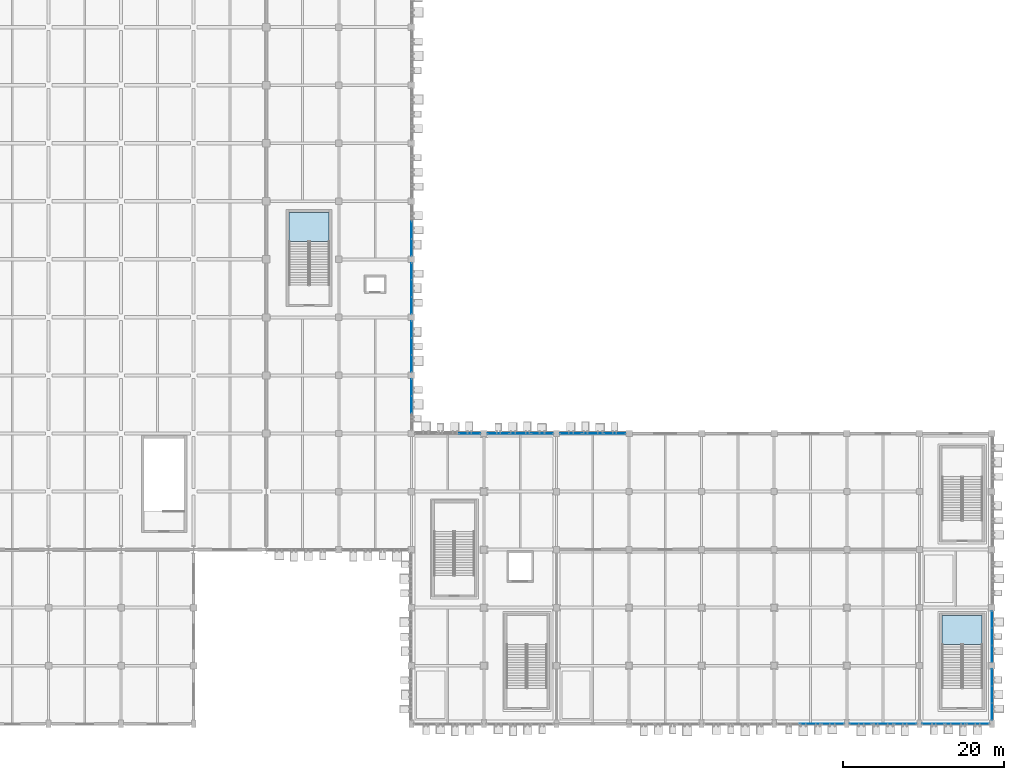
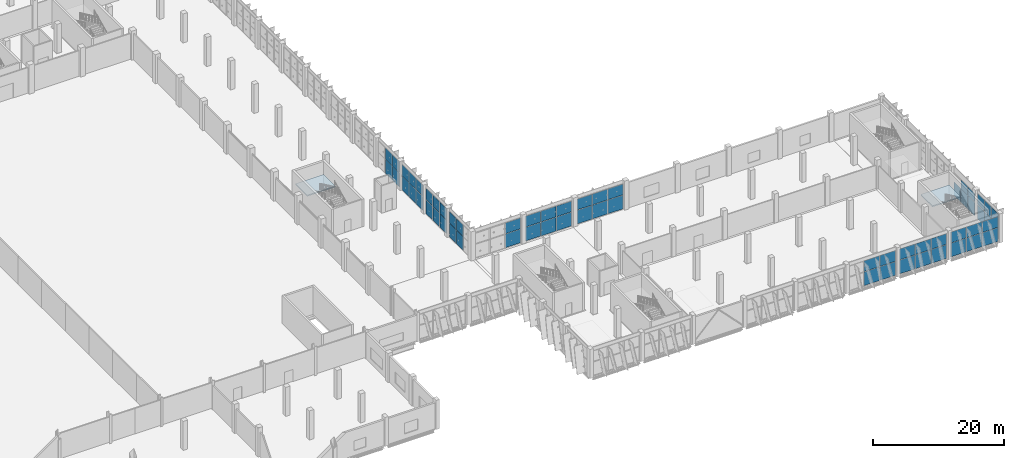
# One storey, part 74 of 137: 61 plates, 2 slabs, 14 elements without a shape of their own.
"""IFC4 building model written with IfcOpenShell, lengths in metres."""

from ifc_helpers import new_model, si_unit, direction, frame, origin, origin_2d, place, context, subcontext, project, spatial, polyline, rectangle, outline, extrude, material, layer, layer_set, type_object, element, aggregate, save


model = new_model("IFC4")

# Units and contexts
model_context = context("Model", 3, precision=1e-05, world=origin(), true_north=direction((0.0, 1.0)))
body_context = subcontext(model_context, "Body", "Model", "MODEL_VIEW")
ifc_project = project(units=[si_unit("LENGTHUNIT", "METRE"), si_unit("AREAUNIT", "SQUARE_METRE"), si_unit("VOLUMEUNIT", "CUBIC_METRE"), si_unit("PLANEANGLEUNIT", "RADIAN"), si_unit("MASSUNIT", "GRAM", prefix="KILO")], contexts=[model_context])

# Site, building, storey
site_placement = place(None, origin())
site = spatial("IfcSite", under=ifc_project, at=site_placement, CompositionType="ELEMENT")
building_placement = place(site_placement, origin())
building = spatial("IfcBuilding", under=site, at=building_placement, Name="Celestram Park Convention Centre", CompositionType="ELEMENT")
storey_placement = place(building_placement, origin())
storey = spatial("IfcBuildingStorey", under=building, at=storey_placement, Name="L00", CompositionType="ELEMENT", Elevation=0.0)

# Curtain wall, plates
ifc_material_1 = material(Name="Anodised Aluminium Alloy 6063-T6", Category="aluminium")
ifc_layer_1 = layer(ifc_material_1, 0.179931640625)
ifc_layer_set_1 = layer_set([ifc_layer_1], Name="Anodised Aluminium Alloy 6063-T6")
curtain_wall_type_1 = type_object("IfcCurtainWallType", Name="ARC-CW-640X482", PredefinedType="NOTDEFINED", material=ifc_layer_set_1)
curtain_wall_1_placement = place(storey_placement, origin())
curtain_wall_1 = element("IfcCurtainWall", 1, at=curtain_wall_1_placement, inside=storey, type_object=curtain_wall_type_1, Name="Unitised curtain wall CU-L00-014", PredefinedType="NOTDEFINED")
ifc_material_2 = material(Name="Insulated Glazing Unit 28 mm", Category="glass")
ifc_layer_2 = layer(ifc_material_2, 0.028076171875)
ifc_layer_set_2 = layer_set([ifc_layer_2], Name="Insulated Glazing Unit 28 mm")
plate_type_1 = type_object("IfcPlateType", Name="ARC-CWP-IGU28", PredefinedType="CURTAIN_PANEL", material=ifc_layer_set_2)
plate_1_placement = place(storey_placement, frame((144.0, 61.199951171875, 0.06005859375), z_axis=(0.0, 0.0, 1.0), x_axis=(0.0, -1.0, 0.0)))
plate_1 = element("IfcPlate", 2, at=plate_1_placement, type_object=plate_type_1, Name="CW-64X48 panel 2.1", PredefinedType="CURTAIN_PANEL", context=body_context, shape_type="SweptSolid", body=[
    extrude(rectangle(XDim=2.069580078125, YDim=0.028076171875, at=origin_2d()), origin(), (0.0, 0.0, 1.0), 2.56005859375),
])
plate_2_placement = place(storey_placement, frame((144.0, 61.199951171875, 2.679931640625), z_axis=(0.0, 0.0, 1.0), x_axis=(0.0, -1.0, 0.0)))
plate_2 = element("IfcPlate", 3, at=plate_2_placement, type_object=plate_type_1, Name="CW-64X48 panel 2.2", PredefinedType="CURTAIN_PANEL", context=body_context, shape_type="SweptSolid", body=[
    extrude(rectangle(XDim=2.069580078125, YDim=0.028076171875, at=origin_2d()), origin(), (0.0, 0.0, 1.0), 2.080078125),
])
plate_3_placement = place(storey_placement, frame((144.0, 59.08154296875, 0.06005859375), z_axis=(0.0, 0.0, 1.0), x_axis=(0.0, -1.0, 0.0)))
plate_3 = element("IfcPlate", 4, at=plate_3_placement, type_object=plate_type_1, Name="CW-64X48 panel 3.1", PredefinedType="CURTAIN_PANEL", context=body_context, shape_type="SweptSolid", body=[
    extrude(rectangle(XDim=2.037109375, YDim=0.028076171875, at=origin_2d()), origin(), (0.0, 0.0, 1.0), 2.56005859375),
])
plate_4_placement = place(storey_placement, frame((144.0, 59.08154296875, 2.679931640625), z_axis=(0.0, 0.0, 1.0), x_axis=(0.0, -1.0, 0.0)))
plate_4 = element("IfcPlate", 5, at=plate_4_placement, type_object=plate_type_1, Name="CW-64X48 panel 3.2", PredefinedType="CURTAIN_PANEL", context=body_context, shape_type="SweptSolid", body=[
    extrude(rectangle(XDim=2.037109375, YDim=0.028076171875, at=origin_2d()), origin(), (0.0, 0.0, 1.0), 2.080078125),
])
aggregate(curtain_wall_1, [plate_1, plate_2, plate_3, plate_4])

curtain_wall_2_placement = place(storey_placement, origin())
curtain_wall_2 = element("IfcCurtainWall", 6, at=curtain_wall_2_placement, inside=storey, type_object=curtain_wall_type_1, Name="Unitised curtain wall CU-L00-015", PredefinedType="NOTDEFINED")
plate_5_placement = place(storey_placement, frame((144.0, 56.118408203125, 0.06005859375), z_axis=(0.0, 0.0, 1.0), x_axis=(0.0, -1.0, 0.0)))
plate_5 = element("IfcPlate", 7, at=plate_5_placement, type_object=plate_type_1, Name="CW-64X48 panel 1.1", PredefinedType="CURTAIN_PANEL", context=body_context, shape_type="SweptSolid", body=[
    extrude(rectangle(XDim=2.037109375, YDim=0.028076171875, at=origin_2d()), origin(), (0.0, 0.0, 1.0), 2.56005859375),
])
plate_6_placement = place(storey_placement, frame((144.0, 56.118408203125, 2.679931640625), z_axis=(0.0, 0.0, 1.0), x_axis=(0.0, -1.0, 0.0)))
plate_6 = element("IfcPlate", 8, at=plate_6_placement, type_object=plate_type_1, Name="CW-64X48 panel 1.2", PredefinedType="CURTAIN_PANEL", context=body_context, shape_type="SweptSolid", body=[
    extrude(rectangle(XDim=2.037109375, YDim=0.028076171875, at=origin_2d()), origin(), (0.0, 0.0, 1.0), 2.080078125),
])
plate_7_placement = place(storey_placement, frame((144.0, 54.0, 0.06005859375), z_axis=(0.0, 0.0, 1.0), x_axis=(0.0, -1.0, 0.0)))
plate_7 = element("IfcPlate", 9, at=plate_7_placement, type_object=plate_type_1, Name="CW-64X48 panel 2.1", PredefinedType="CURTAIN_PANEL", context=body_context, shape_type="SweptSolid", body=[
    extrude(rectangle(XDim=2.069580078125, YDim=0.028076171875, at=origin_2d()), origin(), (0.0, 0.0, 1.0), 2.56005859375),
])
plate_8_placement = place(storey_placement, frame((144.0, 54.0, 2.679931640625), z_axis=(0.0, 0.0, 1.0), x_axis=(0.0, -1.0, 0.0)))
plate_8 = element("IfcPlate", 10, at=plate_8_placement, type_object=plate_type_1, Name="CW-64X48 panel 2.2", PredefinedType="CURTAIN_PANEL", context=body_context, shape_type="SweptSolid", body=[
    extrude(rectangle(XDim=2.069580078125, YDim=0.028076171875, at=origin_2d()), origin(), (0.0, 0.0, 1.0), 2.080078125),
])
plate_9_placement = place(storey_placement, frame((144.0, 51.881591796875, 0.06005859375), z_axis=(0.0, 0.0, 1.0), x_axis=(0.0, -1.0, 0.0)))
plate_9 = element("IfcPlate", 11, at=plate_9_placement, type_object=plate_type_1, Name="CW-64X48 panel 3.1", PredefinedType="CURTAIN_PANEL", context=body_context, shape_type="SweptSolid", body=[
    extrude(rectangle(XDim=2.037109375, YDim=0.028076171875, at=origin_2d()), origin(), (0.0, 0.0, 1.0), 2.56005859375),
])
plate_10_placement = place(storey_placement, frame((144.0, 51.881591796875, 2.679931640625), z_axis=(0.0, 0.0, 1.0), x_axis=(0.0, -1.0, 0.0)))
plate_10 = element("IfcPlate", 12, at=plate_10_placement, type_object=plate_type_1, Name="CW-64X48 panel 3.2", PredefinedType="CURTAIN_PANEL", context=body_context, shape_type="SweptSolid", body=[
    extrude(rectangle(XDim=2.037109375, YDim=0.028076171875, at=origin_2d()), origin(), (0.0, 0.0, 1.0), 2.080078125),
])
aggregate(curtain_wall_2, [plate_5, plate_6, plate_7, plate_8, plate_9, plate_10])

curtain_wall_3_placement = place(storey_placement, origin())
curtain_wall_3 = element("IfcCurtainWall", 13, at=curtain_wall_3_placement, inside=storey, type_object=curtain_wall_type_1, Name="Unitised curtain wall CU-L00-016", PredefinedType="NOTDEFINED")
plate_11_placement = place(storey_placement, frame((144.0, 48.91845703125, 0.06005859375), z_axis=(0.0, 0.0, 1.0), x_axis=(0.0, -1.0, 0.0)))
plate_11 = element("IfcPlate", 14, at=plate_11_placement, type_object=plate_type_1, Name="CW-64X48 panel 1.1", PredefinedType="CURTAIN_PANEL", context=body_context, shape_type="SweptSolid", body=[
    extrude(rectangle(XDim=2.037109375, YDim=0.028076171875, at=origin_2d()), origin(), (0.0, 0.0, 1.0), 2.56005859375),
])
plate_12_placement = place(storey_placement, frame((144.0, 48.91845703125, 2.679931640625), z_axis=(0.0, 0.0, 1.0), x_axis=(0.0, -1.0, 0.0)))
plate_12 = element("IfcPlate", 15, at=plate_12_placement, type_object=plate_type_1, Name="CW-64X48 panel 1.2", PredefinedType="CURTAIN_PANEL", context=body_context, shape_type="SweptSolid", body=[
    extrude(rectangle(XDim=2.037109375, YDim=0.028076171875, at=origin_2d()), origin(), (0.0, 0.0, 1.0), 2.080078125),
])
plate_13_placement = place(storey_placement, frame((144.0, 46.800048828125, 0.06005859375), z_axis=(0.0, 0.0, 1.0), x_axis=(0.0, -1.0, 0.0)))
plate_13 = element("IfcPlate", 16, at=plate_13_placement, type_object=plate_type_1, Name="CW-64X48 panel 2.1", PredefinedType="CURTAIN_PANEL", context=body_context, shape_type="SweptSolid", body=[
    extrude(rectangle(XDim=2.069580078125, YDim=0.028076171875, at=origin_2d()), origin(), (0.0, 0.0, 1.0), 2.56005859375),
])
plate_14_placement = place(storey_placement, frame((144.0, 46.800048828125, 2.679931640625), z_axis=(0.0, 0.0, 1.0), x_axis=(0.0, -1.0, 0.0)))
plate_14 = element("IfcPlate", 17, at=plate_14_placement, type_object=plate_type_1, Name="CW-64X48 panel 2.2", PredefinedType="CURTAIN_PANEL", context=body_context, shape_type="SweptSolid", body=[
    extrude(rectangle(XDim=2.069580078125, YDim=0.028076171875, at=origin_2d()), origin(), (0.0, 0.0, 1.0), 2.080078125),
])
plate_15_placement = place(storey_placement, frame((144.0, 44.681640625, 0.06005859375), z_axis=(0.0, 0.0, 1.0), x_axis=(0.0, -1.0, 0.0)))
plate_15 = element("IfcPlate", 18, at=plate_15_placement, type_object=plate_type_1, Name="CW-64X48 panel 3.1", PredefinedType="CURTAIN_PANEL", context=body_context, shape_type="SweptSolid", body=[
    extrude(rectangle(XDim=2.037109375, YDim=0.028076171875, at=origin_2d()), origin(), (0.0, 0.0, 1.0), 2.56005859375),
])
plate_16_placement = place(storey_placement, frame((144.0, 44.681640625, 2.679931640625), z_axis=(0.0, 0.0, 1.0), x_axis=(0.0, -1.0, 0.0)))
plate_16 = element("IfcPlate", 19, at=plate_16_placement, type_object=plate_type_1, Name="CW-64X48 panel 3.2", PredefinedType="CURTAIN_PANEL", context=body_context, shape_type="SweptSolid", body=[
    extrude(rectangle(XDim=2.037109375, YDim=0.028076171875, at=origin_2d()), origin(), (0.0, 0.0, 1.0), 2.080078125),
])
aggregate(curtain_wall_3, [plate_11, plate_12, plate_13, plate_14, plate_15, plate_16])

curtain_wall_4_placement = place(storey_placement, origin())
curtain_wall_4 = element("IfcCurtainWall", 20, at=curtain_wall_4_placement, inside=storey, type_object=curtain_wall_type_1, Name="Unitised curtain wall CU-L00-017", PredefinedType="NOTDEFINED")
plate_17_placement = place(storey_placement, frame((144.0, 41.718505859375, 0.06005859375), z_axis=(0.0, 0.0, 1.0), x_axis=(0.0, -1.0, 0.0)))
plate_17 = element("IfcPlate", 21, at=plate_17_placement, type_object=plate_type_1, Name="CW-64X48 panel 1.1", PredefinedType="CURTAIN_PANEL", context=body_context, shape_type="SweptSolid", body=[
    extrude(rectangle(XDim=2.037109375, YDim=0.028076171875, at=origin_2d()), origin(), (0.0, 0.0, 1.0), 2.56005859375),
])
plate_18_placement = place(storey_placement, frame((144.0, 41.718505859375, 2.679931640625), z_axis=(0.0, 0.0, 1.0), x_axis=(0.0, -1.0, 0.0)))
plate_18 = element("IfcPlate", 22, at=plate_18_placement, type_object=plate_type_1, Name="CW-64X48 panel 1.2", PredefinedType="CURTAIN_PANEL", context=body_context, shape_type="SweptSolid", body=[
    extrude(rectangle(XDim=2.037109375, YDim=0.028076171875, at=origin_2d()), origin(), (0.0, 0.0, 1.0), 2.080078125),
])
plate_19_placement = place(storey_placement, frame((144.0, 39.60009765625, 0.06005859375), z_axis=(0.0, 0.0, 1.0), x_axis=(0.0, -1.0, 0.0)))
plate_19 = element("IfcPlate", 23, at=plate_19_placement, type_object=plate_type_1, Name="CW-64X48 panel 2.1", PredefinedType="CURTAIN_PANEL", context=body_context, shape_type="SweptSolid", body=[
    extrude(rectangle(XDim=2.069580078125, YDim=0.028076171875, at=origin_2d()), origin(), (0.0, 0.0, 1.0), 2.56005859375),
])
plate_20_placement = place(storey_placement, frame((144.0, 39.60009765625, 2.679931640625), z_axis=(0.0, 0.0, 1.0), x_axis=(0.0, -1.0, 0.0)))
plate_20 = element("IfcPlate", 24, at=plate_20_placement, type_object=plate_type_1, Name="CW-64X48 panel 2.2", PredefinedType="CURTAIN_PANEL", context=body_context, shape_type="SweptSolid", body=[
    extrude(rectangle(XDim=2.069580078125, YDim=0.028076171875, at=origin_2d()), origin(), (0.0, 0.0, 1.0), 2.080078125),
])
aggregate(curtain_wall_4, [plate_17, plate_18, plate_19, plate_20])

ifc_layer_3 = layer(ifc_material_1, 0.179931640625)
ifc_layer_set_3 = layer_set([ifc_layer_3], Name="Anodised Aluminium Alloy 6063-T6")
curtain_wall_type_2 = type_object("IfcCurtainWallType", Name="ARC-CW-640X426", PredefinedType="NOTDEFINED", material=ifc_layer_set_3)
curtain_wall_5_placement = place(storey_placement, origin())
curtain_wall_5 = element("IfcCurtainWall", 25, at=curtain_wall_5_placement, inside=storey, type_object=curtain_wall_type_2, Name="Unitised curtain wall CU-L00-024", PredefinedType="NOTDEFINED")
plate_21_placement = place(storey_placement, frame((216.0, 12.91845703125, 0.06005859375), z_axis=(0.0, 0.0, 1.0), x_axis=(0.0, -1.0, 0.0)))
plate_21 = element("IfcPlate", 26, at=plate_21_placement, type_object=plate_type_1, Name="CW-64X42 panel 1.1", PredefinedType="CURTAIN_PANEL", context=body_context, shape_type="SweptSolid", body=[
    extrude(rectangle(XDim=2.037109375, YDim=0.028076171875, at=origin_2d()), origin(), (0.0, 0.0, 1.0), 2.468017578125),
])
plate_22_placement = place(storey_placement, frame((216.0, 10.800048828125, 0.06005859375), z_axis=(0.0, 0.0, 1.0), x_axis=(0.0, -1.0, 0.0)))
plate_22 = element("IfcPlate", 27, at=plate_22_placement, type_object=plate_type_1, Name="CW-64X42 panel 2.1", PredefinedType="CURTAIN_PANEL", context=body_context, shape_type="SweptSolid", body=[
    extrude(rectangle(XDim=2.069580078125, YDim=0.028076171875, at=origin_2d()), origin(), (0.0, 0.0, 1.0), 2.468017578125),
])
plate_23_placement = place(storey_placement, frame((216.0, 10.800048828125, 2.587890625), z_axis=(0.0, 0.0, 1.0), x_axis=(0.0, -1.0, 0.0)))
plate_23 = element("IfcPlate", 28, at=plate_23_placement, type_object=plate_type_1, Name="CW-64X42 panel 2.2", PredefinedType="CURTAIN_PANEL", context=body_context, shape_type="SweptSolid", body=[
    extrude(rectangle(XDim=2.069580078125, YDim=0.028076171875, at=origin_2d()), origin(), (0.0, 0.0, 1.0), 1.615966796875),
])
plate_24_placement = place(storey_placement, frame((216.0, 8.681640625, 0.06005859375), z_axis=(0.0, 0.0, 1.0), x_axis=(0.0, -1.0, 0.0)))
plate_24 = element("IfcPlate", 29, at=plate_24_placement, type_object=plate_type_1, Name="CW-64X42 panel 3.1", PredefinedType="CURTAIN_PANEL", context=body_context, shape_type="SweptSolid", body=[
    extrude(rectangle(XDim=2.037109375, YDim=0.028076171875, at=origin_2d()), origin(), (0.0, 0.0, 1.0), 2.468017578125),
])
plate_25_placement = place(storey_placement, frame((216.0, 8.681640625, 2.587890625), z_axis=(0.0, 0.0, 1.0), x_axis=(0.0, -1.0, 0.0)))
plate_25 = element("IfcPlate", 30, at=plate_25_placement, type_object=plate_type_1, Name="CW-64X42 panel 3.2", PredefinedType="CURTAIN_PANEL", context=body_context, shape_type="SweptSolid", body=[
    extrude(rectangle(XDim=2.037109375, YDim=0.028076171875, at=origin_2d()), origin(), (0.0, 0.0, 1.0), 1.615966796875),
])
aggregate(curtain_wall_5, [plate_21, plate_22, plate_23, plate_24, plate_25])

ifc_layer_4 = layer(ifc_material_1, 0.179931640625)
ifc_layer_set_4 = layer_set([ifc_layer_4], Name="Anodised Aluminium Alloy 6063-T6")
curtain_wall_type_3 = type_object("IfcCurtainWallType", Name="ARC-CW-635X482", PredefinedType="NOTDEFINED", material=ifc_layer_set_4)
curtain_wall_6_placement = place(storey_placement, origin())
curtain_wall_6 = element("IfcCurtainWall", 31, at=curtain_wall_6_placement, inside=storey, type_object=curtain_wall_type_3, Name="Unitised curtain wall CU-L00-025", PredefinedType="NOTDEFINED")
plate_26_placement = place(storey_placement, frame((216.0, 5.726806640625, 0.06005859375), z_axis=(0.0, 0.0, 1.0), x_axis=(0.0, -1.0, 0.0)))
plate_26 = element("IfcPlate", 32, at=plate_26_placement, type_object=plate_type_1, Name="CW-63X48 panel 1.1", PredefinedType="CURTAIN_PANEL", context=body_context, shape_type="SweptSolid", body=[
    extrude(rectangle(XDim=2.0205078125, YDim=0.028076171875, at=origin_2d()), origin(), (0.0, 0.0, 1.0), 2.56005859375),
])
plate_27_placement = place(storey_placement, frame((216.0, 5.726806640625, 2.679931640625), z_axis=(0.0, 0.0, 1.0), x_axis=(0.0, -1.0, 0.0)))
plate_27 = element("IfcPlate", 33, at=plate_27_placement, type_object=plate_type_1, Name="CW-63X48 panel 1.2", PredefinedType="CURTAIN_PANEL", context=body_context, shape_type="SweptSolid", body=[
    extrude(rectangle(XDim=2.0205078125, YDim=0.028076171875, at=origin_2d()), origin(), (0.0, 0.0, 1.0), 2.080078125),
])
plate_28_placement = place(storey_placement, frame((216.0, 3.625, 0.06005859375), z_axis=(0.0, 0.0, 1.0), x_axis=(0.0, -1.0, 0.0)))
plate_28 = element("IfcPlate", 34, at=plate_28_placement, type_object=plate_type_1, Name="CW-63X48 panel 2.1", PredefinedType="CURTAIN_PANEL", context=body_context, shape_type="SweptSolid", body=[
    extrude(rectangle(XDim=2.052978515625, YDim=0.028076171875, at=origin_2d()), origin(), (0.0, 0.0, 1.0), 2.56005859375),
])
plate_29_placement = place(storey_placement, frame((216.0, 3.625, 2.679931640625), z_axis=(0.0, 0.0, 1.0), x_axis=(0.0, -1.0, 0.0)))
plate_29 = element("IfcPlate", 35, at=plate_29_placement, type_object=plate_type_1, Name="CW-63X48 panel 2.2", PredefinedType="CURTAIN_PANEL", context=body_context, shape_type="SweptSolid", body=[
    extrude(rectangle(XDim=2.052978515625, YDim=0.028076171875, at=origin_2d()), origin(), (0.0, 0.0, 1.0), 2.080078125),
])
plate_30_placement = place(storey_placement, frame((216.0, 1.523193359375, 0.06005859375), z_axis=(0.0, 0.0, 1.0), x_axis=(0.0, -1.0, 0.0)))
plate_30 = element("IfcPlate", 36, at=plate_30_placement, type_object=plate_type_1, Name="CW-63X48 panel 3.1", PredefinedType="CURTAIN_PANEL", context=body_context, shape_type="SweptSolid", body=[
    extrude(rectangle(XDim=2.0205078125, YDim=0.028076171875, at=origin_2d()), origin(), (0.0, 0.0, 1.0), 2.56005859375),
])
plate_31_placement = place(storey_placement, frame((216.0, 1.523193359375, 2.679931640625), z_axis=(0.0, 0.0, 1.0), x_axis=(0.0, -1.0, 0.0)))
plate_31 = element("IfcPlate", 37, at=plate_31_placement, type_object=plate_type_1, Name="CW-63X48 panel 3.2", PredefinedType="CURTAIN_PANEL", context=body_context, shape_type="SweptSolid", body=[
    extrude(rectangle(XDim=2.0205078125, YDim=0.028076171875, at=origin_2d()), origin(), (0.0, 0.0, 1.0), 2.080078125),
])
aggregate(curtain_wall_6, [plate_26, plate_27, plate_28, plate_29, plate_30, plate_31])

ifc_layer_5 = layer(ifc_material_1, 0.179931640625)
ifc_layer_set_5 = layer_set([ifc_layer_5], Name="Anodised Aluminium Alloy 6063-T6")
curtain_wall_type_4 = type_object("IfcCurtainWallType", Name="ARC-CW-820X475", PredefinedType="NOTDEFINED", material=ifc_layer_set_5)
curtain_wall_7_placement = place(storey_placement, origin())
curtain_wall_7 = element("IfcCurtainWall", 38, at=curtain_wall_7_placement, inside=storey, type_object=curtain_wall_type_4, Name="Unitised curtain wall CU-L00-018", PredefinedType="NOTDEFINED")
ifc_material_3 = material(Name="Insulated Glazing Unit 38 mm", Category="glass")
ifc_layer_6 = layer(ifc_material_3, 0.0380859375)
ifc_layer_set_6 = layer_set([ifc_layer_6], Name="Insulated Glazing Unit 38 mm")
plate_type_2 = type_object("IfcPlateType", Name="ARC-CWP-IGU38", PredefinedType="CURTAIN_PANEL", material=ifc_layer_set_6)
plate_32_placement = place(storey_placement, frame((151.2158203125, 36.0, 0.06494140625), z_axis=(0.0, 0.0, 1.0), x_axis=(1.0, 0.0, 0.0)))
plate_32 = element("IfcPlate", 39, at=plate_32_placement, type_object=plate_type_2, Name="CW-82X47 panel 3.1", PredefinedType="CURTAIN_PANEL", context=body_context, shape_type="SweptSolid", body=[
    extrude(rectangle(XDim=2.6220703125, YDim=0.0380859375, at=origin_2d()), origin(), (0.0, 0.0, 1.0), 2.552490234375),
])
plate_33_placement = place(storey_placement, frame((151.2158203125, 36.0, 2.682373046875), z_axis=(0.0, 0.0, 1.0), x_axis=(1.0, 0.0, 0.0)))
plate_33 = element("IfcPlate", 40, at=plate_33_placement, type_object=plate_type_2, Name="CW-82X47 panel 3.2", PredefinedType="CURTAIN_PANEL", context=body_context, shape_type="SweptSolid", body=[
    extrude(rectangle(XDim=2.6220703125, YDim=0.0380859375, at=origin_2d()), origin(), (0.0, 0.0, 1.0), 1.99951171875),
])
aggregate(curtain_wall_7, [plate_32, plate_33])

curtain_wall_8_placement = place(storey_placement, origin())
curtain_wall_8 = element("IfcCurtainWall", 41, at=curtain_wall_8_placement, inside=storey, type_object=curtain_wall_type_4, Name="Unitised curtain wall CU-L00-019", PredefinedType="NOTDEFINED")
plate_34_placement = place(storey_placement, frame((154.7841796875, 36.0, 0.06494140625), z_axis=(0.0, 0.0, 1.0), x_axis=(1.0, 0.0, 0.0)))
plate_34 = element("IfcPlate", 42, at=plate_34_placement, type_object=plate_type_2, Name="CW-82X47 panel 1.1", PredefinedType="CURTAIN_PANEL", context=body_context, shape_type="SweptSolid", body=[
    extrude(rectangle(XDim=2.6220703125, YDim=0.0380859375, at=origin_2d()), origin(), (0.0, 0.0, 1.0), 2.552490234375),
])
plate_35_placement = place(storey_placement, frame((154.7841796875, 36.0, 2.682373046875), z_axis=(0.0, 0.0, 1.0), x_axis=(1.0, 0.0, 0.0)))
plate_35 = element("IfcPlate", 43, at=plate_35_placement, type_object=plate_type_2, Name="CW-82X47 panel 1.2", PredefinedType="CURTAIN_PANEL", context=body_context, shape_type="SweptSolid", body=[
    extrude(rectangle(XDim=2.6220703125, YDim=0.0380859375, at=origin_2d()), origin(), (0.0, 0.0, 1.0), 1.99951171875),
])
plate_36_placement = place(storey_placement, frame((157.5, 36.0, 0.06494140625), z_axis=(0.0, 0.0, 1.0), x_axis=(1.0, 0.0, 0.0)))
plate_36 = element("IfcPlate", 44, at=plate_36_placement, type_object=plate_type_2, Name="CW-82X47 panel 2.1", PredefinedType="CURTAIN_PANEL", context=body_context, shape_type="SweptSolid", body=[
    extrude(rectangle(XDim=2.65966796875, YDim=0.0380859375, at=origin_2d()), origin(), (0.0, 0.0, 1.0), 2.552490234375),
])
plate_37_placement = place(storey_placement, frame((157.5, 36.0, 2.682373046875), z_axis=(0.0, 0.0, 1.0), x_axis=(1.0, 0.0, 0.0)))
plate_37 = element("IfcPlate", 45, at=plate_37_placement, type_object=plate_type_2, Name="CW-82X47 panel 2.2", PredefinedType="CURTAIN_PANEL", context=body_context, shape_type="SweptSolid", body=[
    extrude(rectangle(XDim=2.65966796875, YDim=0.0380859375, at=origin_2d()), origin(), (0.0, 0.0, 1.0), 1.99951171875),
])
plate_38_placement = place(storey_placement, frame((160.2158203125, 36.0, 0.06494140625), z_axis=(0.0, 0.0, 1.0), x_axis=(1.0, 0.0, 0.0)))
plate_38 = element("IfcPlate", 46, at=plate_38_placement, type_object=plate_type_2, Name="CW-82X47 panel 3.1", PredefinedType="CURTAIN_PANEL", context=body_context, shape_type="SweptSolid", body=[
    extrude(rectangle(XDim=2.6220703125, YDim=0.0380859375, at=origin_2d()), origin(), (0.0, 0.0, 1.0), 2.552490234375),
])
plate_39_placement = place(storey_placement, frame((160.2158203125, 36.0, 2.682373046875), z_axis=(0.0, 0.0, 1.0), x_axis=(1.0, 0.0, 0.0)))
plate_39 = element("IfcPlate", 47, at=plate_39_placement, type_object=plate_type_2, Name="CW-82X47 panel 3.2", PredefinedType="CURTAIN_PANEL", context=body_context, shape_type="SweptSolid", body=[
    extrude(rectangle(XDim=2.6220703125, YDim=0.0380859375, at=origin_2d()), origin(), (0.0, 0.0, 1.0), 1.99951171875),
])
aggregate(curtain_wall_8, [plate_34, plate_35, plate_36, plate_37, plate_38, plate_39])

curtain_wall_9_placement = place(storey_placement, origin())
curtain_wall_9 = element("IfcCurtainWall", 48, at=curtain_wall_9_placement, inside=storey, type_object=curtain_wall_type_4, Name="Unitised curtain wall CU-L00-020", PredefinedType="NOTDEFINED")
plate_40_placement = place(storey_placement, frame((163.7841796875, 36.0, 0.06494140625), z_axis=(0.0, 0.0, 1.0), x_axis=(1.0, 0.0, 0.0)))
plate_40 = element("IfcPlate", 49, at=plate_40_placement, type_object=plate_type_2, Name="CW-82X47 panel 1.1", PredefinedType="CURTAIN_PANEL", context=body_context, shape_type="SweptSolid", body=[
    extrude(rectangle(XDim=2.6220703125, YDim=0.0380859375, at=origin_2d()), origin(), (0.0, 0.0, 1.0), 2.552490234375),
])
plate_41_placement = place(storey_placement, frame((163.7841796875, 36.0, 2.682373046875), z_axis=(0.0, 0.0, 1.0), x_axis=(1.0, 0.0, 0.0)))
plate_41 = element("IfcPlate", 50, at=plate_41_placement, type_object=plate_type_2, Name="CW-82X47 panel 1.2", PredefinedType="CURTAIN_PANEL", context=body_context, shape_type="SweptSolid", body=[
    extrude(rectangle(XDim=2.6220703125, YDim=0.0380859375, at=origin_2d()), origin(), (0.0, 0.0, 1.0), 1.99951171875),
])
plate_42_placement = place(storey_placement, frame((166.5, 36.0, 0.06494140625), z_axis=(0.0, 0.0, 1.0), x_axis=(1.0, 0.0, 0.0)))
plate_42 = element("IfcPlate", 51, at=plate_42_placement, type_object=plate_type_2, Name="CW-82X47 panel 2.1", PredefinedType="CURTAIN_PANEL", context=body_context, shape_type="SweptSolid", body=[
    extrude(rectangle(XDim=2.65966796875, YDim=0.0380859375, at=origin_2d()), origin(), (0.0, 0.0, 1.0), 2.552490234375),
])
plate_43_placement = place(storey_placement, frame((166.5, 36.0, 2.682373046875), z_axis=(0.0, 0.0, 1.0), x_axis=(1.0, 0.0, 0.0)))
plate_43 = element("IfcPlate", 52, at=plate_43_placement, type_object=plate_type_2, Name="CW-82X47 panel 2.2", PredefinedType="CURTAIN_PANEL", context=body_context, shape_type="SweptSolid", body=[
    extrude(rectangle(XDim=2.65966796875, YDim=0.0380859375, at=origin_2d()), origin(), (0.0, 0.0, 1.0), 1.99951171875),
])
plate_44_placement = place(storey_placement, frame((169.2158203125, 36.0, 0.06494140625), z_axis=(0.0, 0.0, 1.0), x_axis=(1.0, 0.0, 0.0)))
plate_44 = element("IfcPlate", 53, at=plate_44_placement, type_object=plate_type_2, Name="CW-82X47 panel 3.1", PredefinedType="CURTAIN_PANEL", context=body_context, shape_type="SweptSolid", body=[
    extrude(rectangle(XDim=2.6220703125, YDim=0.0380859375, at=origin_2d()), origin(), (0.0, 0.0, 1.0), 2.552490234375),
])
plate_45_placement = place(storey_placement, frame((169.2158203125, 36.0, 2.682373046875), z_axis=(0.0, 0.0, 1.0), x_axis=(1.0, 0.0, 0.0)))
plate_45 = element("IfcPlate", 54, at=plate_45_placement, type_object=plate_type_2, Name="CW-82X47 panel 3.2", PredefinedType="CURTAIN_PANEL", context=body_context, shape_type="SweptSolid", body=[
    extrude(rectangle(XDim=2.6220703125, YDim=0.0380859375, at=origin_2d()), origin(), (0.0, 0.0, 1.0), 1.99951171875),
])
aggregate(curtain_wall_9, [plate_40, plate_41, plate_42, plate_43, plate_44, plate_45])

ifc_layer_7 = layer(ifc_material_1, 0.179931640625)
ifc_layer_set_7 = layer_set([ifc_layer_7], Name="Anodised Aluminium Alloy 6063-T6")
curtain_wall_type_5 = type_object("IfcCurtainWallType", Name="ARC-CW-840X475", PredefinedType="NOTDEFINED", material=ifc_layer_set_7)
curtain_wall_10_placement = place(storey_placement, origin())
curtain_wall_10 = element("IfcCurtainWall", 55, at=curtain_wall_10_placement, inside=storey, type_object=curtain_wall_type_5, Name="Unitised curtain wall CU-L00-026", PredefinedType="NOTDEFINED")
plate_46_placement = place(storey_placement, frame((214.282470703125, 0.0, 0.06494140625), z_axis=(0.0, 0.0, 1.0), x_axis=(-1.0, 0.0, 0.0)))
plate_46 = element("IfcPlate", 56, at=plate_46_placement, type_object=plate_type_2, Name="CW-84X47 panel 1.1", PredefinedType="CURTAIN_PANEL", context=body_context, shape_type="SweptSolid", body=[
    extrude(rectangle(XDim=2.688720703125, YDim=0.0380859375, at=origin_2d()), origin(), (0.0, 0.0, 1.0), 2.552490234375),
])
plate_47_placement = place(storey_placement, frame((214.282470703125, 0.0, 2.682373046875), z_axis=(0.0, 0.0, 1.0), x_axis=(-1.0, 0.0, 0.0)))
plate_47 = element("IfcPlate", 57, at=plate_47_placement, type_object=plate_type_2, Name="CW-84X47 panel 1.2", PredefinedType="CURTAIN_PANEL", context=body_context, shape_type="SweptSolid", body=[
    extrude(rectangle(XDim=2.688720703125, YDim=0.0380859375, at=origin_2d()), origin(), (0.0, 0.0, 1.0), 1.99951171875),
])
plate_48_placement = place(storey_placement, frame((211.5, 0.0, 0.06494140625), z_axis=(0.0, 0.0, 1.0), x_axis=(-1.0, 0.0, 0.0)))
plate_48 = element("IfcPlate", 58, at=plate_48_placement, type_object=plate_type_2, Name="CW-84X47 panel 2.1", PredefinedType="CURTAIN_PANEL", context=body_context, shape_type="SweptSolid", body=[
    extrude(rectangle(XDim=2.726318359375, YDim=0.0380859375, at=origin_2d()), origin(), (0.0, 0.0, 1.0), 2.552490234375),
])
plate_49_placement = place(storey_placement, frame((211.5, 0.0, 2.682373046875), z_axis=(0.0, 0.0, 1.0), x_axis=(-1.0, 0.0, 0.0)))
plate_49 = element("IfcPlate", 59, at=plate_49_placement, type_object=plate_type_2, Name="CW-84X47 panel 2.2", PredefinedType="CURTAIN_PANEL", context=body_context, shape_type="SweptSolid", body=[
    extrude(rectangle(XDim=2.726318359375, YDim=0.0380859375, at=origin_2d()), origin(), (0.0, 0.0, 1.0), 1.99951171875),
])
plate_50_placement = place(storey_placement, frame((208.717529296875, 0.0, 0.06494140625), z_axis=(0.0, 0.0, 1.0), x_axis=(-1.0, 0.0, 0.0)))
plate_50 = element("IfcPlate", 60, at=plate_50_placement, type_object=plate_type_2, Name="CW-84X47 panel 3.1", PredefinedType="CURTAIN_PANEL", context=body_context, shape_type="SweptSolid", body=[
    extrude(rectangle(XDim=2.688720703125, YDim=0.0380859375, at=origin_2d()), origin(), (0.0, 0.0, 1.0), 2.552490234375),
])
plate_51_placement = place(storey_placement, frame((208.717529296875, 0.0, 2.682373046875), z_axis=(0.0, 0.0, 1.0), x_axis=(-1.0, 0.0, 0.0)))
plate_51 = element("IfcPlate", 61, at=plate_51_placement, type_object=plate_type_2, Name="CW-84X47 panel 3.2", PredefinedType="CURTAIN_PANEL", context=body_context, shape_type="SweptSolid", body=[
    extrude(rectangle(XDim=2.688720703125, YDim=0.0380859375, at=origin_2d()), origin(), (0.0, 0.0, 1.0), 1.99951171875),
])
aggregate(curtain_wall_10, [plate_46, plate_47, plate_48, plate_49, plate_50, plate_51])

curtain_wall_11_placement = place(storey_placement, origin())
curtain_wall_11 = element("IfcCurtainWall", 62, at=curtain_wall_11_placement, inside=storey, type_object=curtain_wall_type_5, Name="Unitised curtain wall CU-L00-027", PredefinedType="NOTDEFINED")
plate_52_placement = place(storey_placement, frame((205.282470703125, 0.0, 0.06494140625), z_axis=(0.0, 0.0, 1.0), x_axis=(-1.0, 0.0, 0.0)))
plate_52 = element("IfcPlate", 63, at=plate_52_placement, type_object=plate_type_2, Name="CW-84X47 panel 1.1", PredefinedType="CURTAIN_PANEL", context=body_context, shape_type="SweptSolid", body=[
    extrude(rectangle(XDim=2.688720703125, YDim=0.0380859375, at=origin_2d()), origin(), (0.0, 0.0, 1.0), 2.552490234375),
])
plate_53_placement = place(storey_placement, frame((205.282470703125, 0.0, 2.682373046875), z_axis=(0.0, 0.0, 1.0), x_axis=(-1.0, 0.0, 0.0)))
plate_53 = element("IfcPlate", 64, at=plate_53_placement, type_object=plate_type_2, Name="CW-84X47 panel 1.2", PredefinedType="CURTAIN_PANEL", context=body_context, shape_type="SweptSolid", body=[
    extrude(rectangle(XDim=2.688720703125, YDim=0.0380859375, at=origin_2d()), origin(), (0.0, 0.0, 1.0), 1.99951171875),
])
plate_54_placement = place(storey_placement, frame((202.5, 0.0, 0.06494140625), z_axis=(0.0, 0.0, 1.0), x_axis=(-1.0, 0.0, 0.0)))
plate_54 = element("IfcPlate", 65, at=plate_54_placement, type_object=plate_type_2, Name="CW-84X47 panel 2.1", PredefinedType="CURTAIN_PANEL", context=body_context, shape_type="SweptSolid", body=[
    extrude(rectangle(XDim=2.726318359375, YDim=0.0380859375, at=origin_2d()), origin(), (0.0, 0.0, 1.0), 2.552490234375),
])
plate_55_placement = place(storey_placement, frame((202.5, 0.0, 2.682373046875), z_axis=(0.0, 0.0, 1.0), x_axis=(-1.0, 0.0, 0.0)))
plate_55 = element("IfcPlate", 66, at=plate_55_placement, type_object=plate_type_2, Name="CW-84X47 panel 2.2", PredefinedType="CURTAIN_PANEL", context=body_context, shape_type="SweptSolid", body=[
    extrude(rectangle(XDim=2.726318359375, YDim=0.0380859375, at=origin_2d()), origin(), (0.0, 0.0, 1.0), 1.99951171875),
])
plate_56_placement = place(storey_placement, frame((199.717529296875, 0.0, 0.06494140625), z_axis=(0.0, 0.0, 1.0), x_axis=(-1.0, 0.0, 0.0)))
plate_56 = element("IfcPlate", 67, at=plate_56_placement, type_object=plate_type_2, Name="CW-84X47 panel 3.1", PredefinedType="CURTAIN_PANEL", context=body_context, shape_type="SweptSolid", body=[
    extrude(rectangle(XDim=2.688720703125, YDim=0.0380859375, at=origin_2d()), origin(), (0.0, 0.0, 1.0), 2.552490234375),
])
plate_57_placement = place(storey_placement, frame((199.717529296875, 0.0, 2.682373046875), z_axis=(0.0, 0.0, 1.0), x_axis=(-1.0, 0.0, 0.0)))
plate_57 = element("IfcPlate", 68, at=plate_57_placement, type_object=plate_type_2, Name="CW-84X47 panel 3.2", PredefinedType="CURTAIN_PANEL", context=body_context, shape_type="SweptSolid", body=[
    extrude(rectangle(XDim=2.688720703125, YDim=0.0380859375, at=origin_2d()), origin(), (0.0, 0.0, 1.0), 1.99951171875),
])
aggregate(curtain_wall_11, [plate_52, plate_53, plate_54, plate_55, plate_56, plate_57])

curtain_wall_12_placement = place(storey_placement, origin())
curtain_wall_12 = element("IfcCurtainWall", 69, at=curtain_wall_12_placement, inside=storey, type_object=curtain_wall_type_5, Name="Unitised curtain wall CU-L00-028", PredefinedType="NOTDEFINED")
plate_58_placement = place(storey_placement, frame((196.282470703125, 0.0, 0.06494140625), z_axis=(0.0, 0.0, 1.0), x_axis=(-1.0, 0.0, 0.0)))
plate_58 = element("IfcPlate", 70, at=plate_58_placement, type_object=plate_type_2, Name="CW-84X47 panel 1.1", PredefinedType="CURTAIN_PANEL", context=body_context, shape_type="SweptSolid", body=[
    extrude(rectangle(XDim=2.688720703125, YDim=0.0380859375, at=origin_2d()), origin(), (0.0, 0.0, 1.0), 2.552490234375),
])
plate_59_placement = place(storey_placement, frame((196.282470703125, 0.0, 2.682373046875), z_axis=(0.0, 0.0, 1.0), x_axis=(-1.0, 0.0, 0.0)))
plate_59 = element("IfcPlate", 71, at=plate_59_placement, type_object=plate_type_2, Name="CW-84X47 panel 1.2", PredefinedType="CURTAIN_PANEL", context=body_context, shape_type="SweptSolid", body=[
    extrude(rectangle(XDim=2.688720703125, YDim=0.0380859375, at=origin_2d()), origin(), (0.0, 0.0, 1.0), 1.99951171875),
])
plate_60_placement = place(storey_placement, frame((193.5, 0.0, 0.06494140625), z_axis=(0.0, 0.0, 1.0), x_axis=(-1.0, 0.0, 0.0)))
plate_60 = element("IfcPlate", 72, at=plate_60_placement, type_object=plate_type_2, Name="CW-84X47 panel 2.1", PredefinedType="CURTAIN_PANEL", context=body_context, shape_type="SweptSolid", body=[
    extrude(rectangle(XDim=2.726318359375, YDim=0.0380859375, at=origin_2d()), origin(), (0.0, 0.0, 1.0), 2.552490234375),
])
plate_61_placement = place(storey_placement, frame((193.5, 0.0, 2.682373046875), z_axis=(0.0, 0.0, 1.0), x_axis=(-1.0, 0.0, 0.0)))
plate_61 = element("IfcPlate", 73, at=plate_61_placement, type_object=plate_type_2, Name="CW-84X47 panel 2.2", PredefinedType="CURTAIN_PANEL", context=body_context, shape_type="SweptSolid", body=[
    extrude(rectangle(XDim=2.726318359375, YDim=0.0380859375, at=origin_2d()), origin(), (0.0, 0.0, 1.0), 1.99951171875),
])
aggregate(curtain_wall_12, [plate_58, plate_59, plate_60, plate_61])

# Stair, slab
ifc_material_4 = material(Name="Precast Concrete C40/50", Category="concrete")
stair_type = type_object("IfcStairType", Name="ARC-STR-DOG54", PredefinedType="HALF_TURN_STAIR", material=ifc_material_4)
stair_1_placement = place(storey_placement, origin())
stair_1 = element("IfcStair", 74, at=stair_1_placement, inside=storey, type_object=stair_type, Name="L00 Core C4 stair ST-04", PredefinedType="HALF_TURN_STAIR")
ifc_material_5 = material(Name="Concrete C35/45", Category="concrete")
ifc_layer_8 = layer(ifc_material_5, 0.199951171875)
ifc_layer_set_8 = layer_set([ifc_layer_8], Name="Concrete C35/45")
slab_type = type_object("IfcSlabType", Name="STR-SLB-LND200", PredefinedType="LANDING", material=ifc_layer_set_8)
slab_1_placement = place(storey_placement, frame((0.0, 0.0, 2.5)))
slab_1 = element("IfcSlab", 75, at=slab_1_placement, type_object=slab_type, Name="ST-04 landing 1", PredefinedType="LANDING", context=body_context, shape_type="SweptSolid", body=[
    extrude(outline(polyline([(133.800048828125, 59.833984375), (133.800048828125, 63.39990234375), (128.840087890625, 63.39990234375), (128.840087890625, 59.833984375), (133.800048828125, 59.833984375)])), origin(), (0.0, 0.0, 1.0), 0.199951171875),
])
aggregate(stair_1, [slab_1])

stair_2_placement = place(storey_placement, origin())
stair_2 = element("IfcStair", 76, at=stair_2_placement, inside=storey, type_object=stair_type, Name="L00 Core S11 stair ST-11", PredefinedType="HALF_TURN_STAIR")
slab_2_placement = place(storey_placement, frame((0.0, 0.0, 2.5)))
slab_2 = element("IfcSlab", 77, at=slab_2_placement, type_object=slab_type, Name="ST-11 landing 1", PredefinedType="LANDING", context=body_context, shape_type="SweptSolid", body=[
    extrude(outline(polyline([(214.800048828125, 9.833984375), (214.800048828125, 13.39990234375), (209.840087890625, 13.39990234375), (209.840087890625, 9.833984375), (214.800048828125, 9.833984375)])), origin(), (0.0, 0.0, 1.0), 0.199951171875),
])
aggregate(stair_2, [slab_2])

save(model, "model.ifc")
